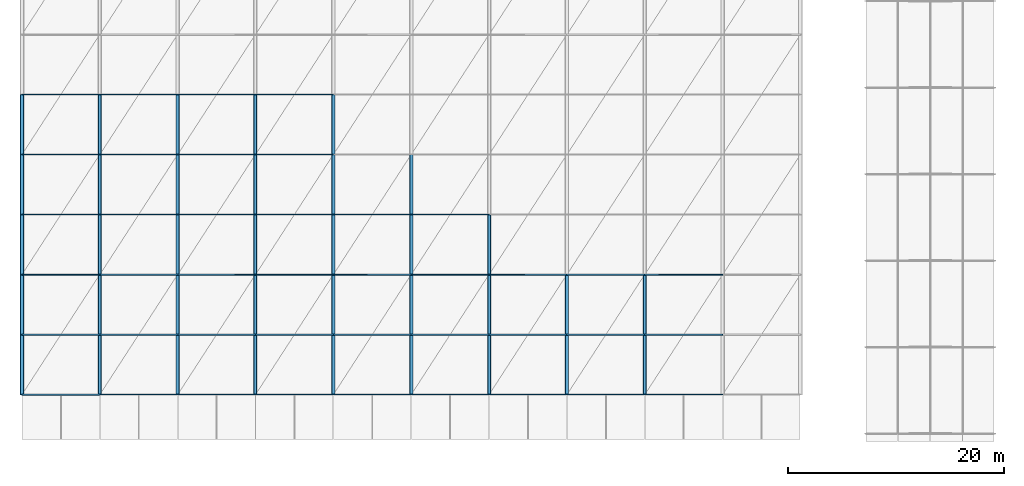
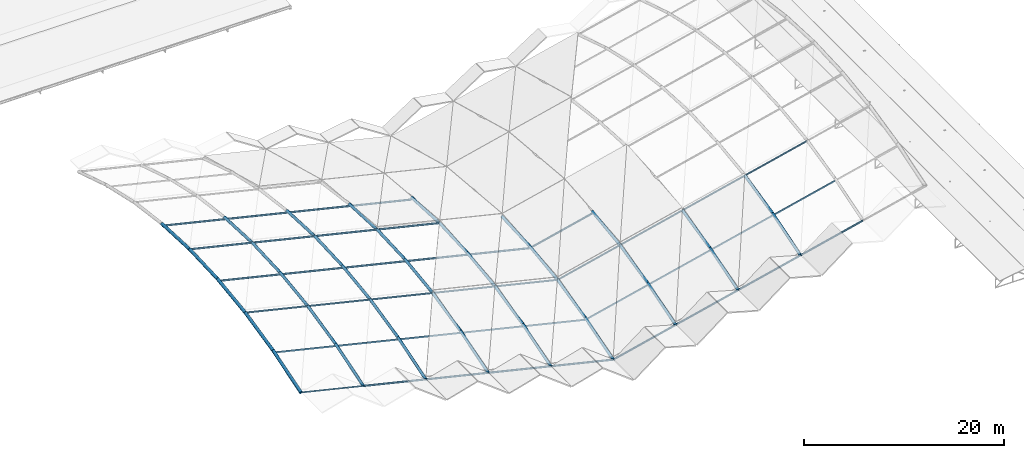
# One storey, part 1 of 54: 77 members.
"""IFC4 building model written with IfcOpenShell, lengths in metres."""

from ifc_helpers import new_model, si_unit, derived_unit, direction, frame, origin, origin_2d, place, context, subcontext, project, spatial, hollow_rectangle, hollow_circle, i_section, extrude, material, material_profile, profile_set, type_object, element, save


model = new_model("IFC4")

# Units and contexts
model_context = context("Model", 3, precision=1e-05, world=origin(), true_north=direction((0.0, 1.0)))
body_context = subcontext(model_context, "Body", "Model", "MODEL_VIEW")
ifc_project = project(units=[si_unit("LENGTHUNIT", "METRE"), si_unit("AREAUNIT", "SQUARE_METRE"), si_unit("VOLUMEUNIT", "CUBIC_METRE"), si_unit("PLANEANGLEUNIT", "RADIAN"), si_unit("MASSUNIT", "GRAM", prefix="KILO"), derived_unit("THERMALTRANSMITTANCEUNIT", [(si_unit("POWERUNIT", "WATT"), 1), (si_unit("LENGTHUNIT", "METRE"), -2), (si_unit("THERMODYNAMICTEMPERATUREUNIT", "KELVIN"), -1)])], contexts=[model_context])

# Site, building, storey
site_placement = place(None, origin())
site = spatial("IfcSite", under=ifc_project, at=site_placement, CompositionType="ELEMENT")
building_placement = place(site_placement, origin())
building = spatial("IfcBuilding", under=site, at=building_placement, Name="Keldorne Ridge Multi-Sports Centre", CompositionType="ELEMENT")
storey_placement = place(building_placement, frame((0.0, 0.0, 22.199951171875)))
storey = spatial("IfcBuildingStorey", under=building, at=storey_placement, Name="ROOF", CompositionType="ELEMENT", Elevation=22.199951171875)

# Members
ifc_material = material(Name="Steel S355", Category="steel")
ifc_material_profile_1 = material_profile(ifc_material, i_section(OverallWidth=0.10009765625, OverallDepth=0.199951171875, WebThickness=0.005615234375, FlangeThickness=0.008544921875, FilletRadius=0.011962890625, at=origin_2d()), Name="IPE 200")
ifc_profile_set_1 = profile_set([ifc_material_profile_1], Name="Steel S355")
member_type_1 = type_object("IfcMemberType", Name="MEM-PR-01", PredefinedType="PURLIN", material=ifc_profile_set_1)
for number, where, z_axis, x_axis, name in (
    (1, (6.0, 26.25, 2.14013671875), (0.972632545932, 0.0, -0.232348726259), (0.0, 1.0, 0.0), "Main Hall roof purlin 1.4"),
    (2, (6.0, 31.800048828125, 2.64013671875), (0.972632545932, 0.0, -0.232348726259), (0.0, 1.0, 0.0), "Main Hall roof purlin 1.5"),
    (3, (6.0, 37.35009765625, 2.14013671875), (0.972632545932, 0.0, -0.232348726259), (0.0, 1.0, 0.0), "Main Hall roof purlin 1.6"),
    (4, (13.199951171875, 9.60009765625, -3.079833984375), (0.972625092192, 0.0, -0.232379926065), (0.0, 1.0, 0.0), "Main Hall roof purlin 2.1"),
    (5, (13.199951171875, 26.25, 0.420166015625), (0.972625092192, 0.0, -0.232379926065), (0.0, 1.0, 0.0), "Main Hall roof purlin 2.4"),
    (6, (13.199951171875, 31.800048828125, 0.920166015625), (0.972625092192, 0.0, -0.232379926065), (0.0, 1.0, 0.0), "Main Hall roof purlin 2.5"),
    (7, (13.199951171875, 37.35009765625, 0.420166015625), (0.972625092192, 0.0, -0.232379926065), (0.0, 1.0, 0.0), "Main Hall roof purlin 2.6"),
):
    element("IfcMember", number, at=place(storey_placement, frame(where, z_axis=z_axis, x_axis=x_axis)), inside=storey, type_object=member_type_1, Name=name, PredefinedType="PURLIN", context=body_context, shape_type="SweptSolid", body=[
        extrude(i_section(OverallWidth=0.10009765625, OverallDepth=0.199951171875, WebThickness=0.005615234375, FlangeThickness=0.008544921875, FilletRadius=0.011962890625, at=origin_2d()), origin(), (0.0, 0.0, 1.0), 7.402587890625),
    ])
for number, where, z_axis, x_axis, name in (
    (8, (20.39990234375, 9.60009765625, -4.800048828125), (0.972634326338, 0.0, -0.232341273194), (0.0, 1.0, 0.0), "Main Hall roof purlin 3.1"),
    (9, (20.39990234375, 26.25, -1.300048828125), (0.972634326338, 0.0, -0.232341273194), (0.0, 1.0, 0.0), "Main Hall roof purlin 3.4"),
    (10, (20.39990234375, 31.800048828125, -0.800048828125), (0.972634326338, 0.0, -0.232341273194), (0.0, 1.0, 0.0), "Main Hall roof purlin 3.5"),
    (11, (20.39990234375, 37.35009765625, -1.300048828125), (0.972634326338, 0.0, -0.232341273194), (0.0, 1.0, 0.0), "Main Hall roof purlin 3.6"),
):
    element("IfcMember", number, at=place(storey_placement, frame(where, z_axis=z_axis, x_axis=x_axis)), inside=storey, type_object=member_type_1, Name=name, PredefinedType="PURLIN", context=body_context, shape_type="SweptSolid", body=[
        extrude(i_section(OverallWidth=0.10009765625, OverallDepth=0.199951171875, WebThickness=0.005615234375, FlangeThickness=0.008544921875, FilletRadius=0.011962890625, at=origin_2d()), origin(), (0.0, 0.0, 1.0), 7.40283203125),
    ])
for number, where, z_axis, x_axis, name in (
    (12, (27.60009765625, 9.60009765625, -6.52001953125), (0.972632545932, 0.0, -0.232348726259), (0.0, 1.0, 0.0), "Main Hall roof purlin 4.1"),
    (13, (27.60009765625, 26.25, -3.02001953125), (0.972632545932, 0.0, -0.232348726259), (0.0, 1.0, 0.0), "Main Hall roof purlin 4.4"),
    (14, (27.60009765625, 31.800048828125, -2.52001953125), (0.972632545932, 0.0, -0.232348726259), (0.0, 1.0, 0.0), "Main Hall roof purlin 4.5"),
    (15, (27.60009765625, 37.35009765625, -3.02001953125), (0.972632545932, 0.0, -0.232348726259), (0.0, 1.0, 0.0), "Main Hall roof purlin 4.6"),
    (16, (34.800048828125, 9.60009765625, -8.239990234375), (0.972632545932, 0.0, -0.232348726259), (0.0, 1.0, 0.0), "Main Hall roof purlin 5.1"),
    (17, (34.800048828125, 26.25, -4.739990234375), (0.972632545932, 0.0, -0.232348726259), (0.0, 1.0, 0.0), "Main Hall roof purlin 5.4"),
    (18, (42.0, 9.60009765625, -9.9599609375), (0.972632545932, 0.0, 0.232348726259), (0.0, 1.0, 0.0), "Main Hall roof purlin 6.1"),
    (19, (42.0, 26.25, -6.4599609375), (0.972632545932, 0.0, 0.232348726259), (0.0, 1.0, 0.0), "Main Hall roof purlin 6.4"),
    (20, (49.199951171875, 9.60009765625, -8.239990234375), (0.972632545932, 0.0, 0.232348726259), (0.0, 1.0, 0.0), "Main Hall roof purlin 7.1"),
):
    element("IfcMember", number, at=place(storey_placement, frame(where, z_axis=z_axis, x_axis=x_axis)), inside=storey, type_object=member_type_1, Name=name, PredefinedType="PURLIN", context=body_context, shape_type="SweptSolid", body=[
        extrude(i_section(OverallWidth=0.10009765625, OverallDepth=0.199951171875, WebThickness=0.005615234375, FlangeThickness=0.008544921875, FilletRadius=0.011962890625, at=origin_2d()), origin(), (0.0, 0.0, 1.0), 7.402587890625),
    ])
member_1_placement = place(storey_placement, frame((56.39990234375, 9.60009765625, -6.52001953125), z_axis=(0.972634326338, 0.0, 0.232341273194), x_axis=(0.0, 1.0, 0.0)))
element("IfcMember", 21, at=member_1_placement, inside=storey, type_object=member_type_1, Name="Main Hall roof purlin 8.1", PredefinedType="PURLIN", context=body_context, shape_type="SweptSolid", body=[
    extrude(i_section(OverallWidth=0.10009765625, OverallDepth=0.199951171875, WebThickness=0.005615234375, FlangeThickness=0.008544921875, FilletRadius=0.011962890625, at=origin_2d()), origin(), (0.0, 0.0, 1.0), 7.40283203125),
])
member_2_placement = place(storey_placement, frame((63.60009765625, 9.60009765625, -4.800048828125), z_axis=(0.972625092192, 0.0, 0.232379926065), x_axis=(0.0, 1.0, 0.0)))
element("IfcMember", 22, at=member_2_placement, inside=storey, type_object=member_type_1, Name="Main Hall roof purlin 9.1", PredefinedType="PURLIN", context=body_context, shape_type="SweptSolid", body=[
    extrude(i_section(OverallWidth=0.10009765625, OverallDepth=0.199951171875, WebThickness=0.005615234375, FlangeThickness=0.008544921875, FilletRadius=0.011962890625, at=origin_2d()), origin(), (0.0, 0.0, 1.0), 7.402587890625),
])
ifc_material_profile_2 = material_profile(ifc_material, i_section(OverallWidth=0.091064453125, OverallDepth=0.179931640625, WebThickness=0.00537109375, FlangeThickness=0.008056640625, FilletRadius=0.009033203125, at=origin_2d()), Name="IPE 180")
ifc_profile_set_2 = profile_set([ifc_material_profile_2], Name="Steel S355")
member_type_2 = type_object("IfcMemberType", Name="MEM-PR-02", PredefinedType="PURLIN", material=ifc_profile_set_2)
for number, where, z_axis, x_axis, name in (
    (23, (6.0, 20.699951171875, 1.64013671875), (0.972632545932, 0.0, -0.232348726259), (0.0, 1.0, 0.0), "Main Hall roof purlin 1.3"),
    (24, (13.199951171875, 20.699951171875, -0.079833984375), (0.972625092192, 0.0, -0.232379926065), (0.0, 1.0, 0.0), "Main Hall roof purlin 2.3"),
):
    element("IfcMember", number, at=place(storey_placement, frame(where, z_axis=z_axis, x_axis=x_axis)), inside=storey, type_object=member_type_2, Name=name, PredefinedType="PURLIN", context=body_context, shape_type="SweptSolid", body=[
        extrude(i_section(OverallWidth=0.091064453125, OverallDepth=0.179931640625, WebThickness=0.00537109375, FlangeThickness=0.008056640625, FilletRadius=0.009033203125, at=origin_2d()), origin(), (0.0, 0.0, 1.0), 7.402587890625),
    ])
member_3_placement = place(storey_placement, frame((20.39990234375, 20.699951171875, -1.800048828125), z_axis=(0.972634326338, 0.0, -0.232341273194), x_axis=(0.0, 1.0, 0.0)))
element("IfcMember", 25, at=member_3_placement, inside=storey, type_object=member_type_2, Name="Main Hall roof purlin 3.3", PredefinedType="PURLIN", context=body_context, shape_type="SweptSolid", body=[
    extrude(i_section(OverallWidth=0.091064453125, OverallDepth=0.179931640625, WebThickness=0.00537109375, FlangeThickness=0.008056640625, FilletRadius=0.009033203125, at=origin_2d()), origin(), (0.0, 0.0, 1.0), 7.40283203125),
])
for number, where, z_axis, x_axis, name in (
    (26, (27.60009765625, 20.699951171875, -3.52001953125), (0.972632545932, 0.0, -0.232348726259), (0.0, 1.0, 0.0), "Main Hall roof purlin 4.3"),
    (27, (34.800048828125, 20.699951171875, -5.239990234375), (0.972632545932, 0.0, -0.232348726259), (0.0, 1.0, 0.0), "Main Hall roof purlin 5.3"),
    (28, (42.0, 20.699951171875, -6.9599609375), (0.972632545932, 0.0, 0.232348726259), (0.0, 1.0, 0.0), "Main Hall roof purlin 6.3"),
    (29, (49.199951171875, 20.699951171875, -5.239990234375), (0.972632545932, 0.0, 0.232348726259), (0.0, 1.0, 0.0), "Main Hall roof purlin 7.3"),
):
    element("IfcMember", number, at=place(storey_placement, frame(where, z_axis=z_axis, x_axis=x_axis)), inside=storey, type_object=member_type_2, Name=name, PredefinedType="PURLIN", context=body_context, shape_type="SweptSolid", body=[
        extrude(i_section(OverallWidth=0.091064453125, OverallDepth=0.179931640625, WebThickness=0.00537109375, FlangeThickness=0.008056640625, FilletRadius=0.009033203125, at=origin_2d()), origin(), (0.0, 0.0, 1.0), 7.402587890625),
    ])
member_4_placement = place(storey_placement, frame((56.39990234375, 20.699951171875, -3.52001953125), z_axis=(0.972634326338, 0.0, 0.232341273194), x_axis=(0.0, 1.0, 0.0)))
element("IfcMember", 30, at=member_4_placement, inside=storey, type_object=member_type_2, Name="Main Hall roof purlin 8.3", PredefinedType="PURLIN", context=body_context, shape_type="SweptSolid", body=[
    extrude(i_section(OverallWidth=0.091064453125, OverallDepth=0.179931640625, WebThickness=0.00537109375, FlangeThickness=0.008056640625, FilletRadius=0.009033203125, at=origin_2d()), origin(), (0.0, 0.0, 1.0), 7.40283203125),
])
member_5_placement = place(storey_placement, frame((63.60009765625, 20.699951171875, -1.800048828125), z_axis=(0.972625092192, 0.0, 0.232379926065), x_axis=(0.0, 1.0, 0.0)))
element("IfcMember", 31, at=member_5_placement, inside=storey, type_object=member_type_2, Name="Main Hall roof purlin 9.3", PredefinedType="PURLIN", context=body_context, shape_type="SweptSolid", body=[
    extrude(i_section(OverallWidth=0.091064453125, OverallDepth=0.179931640625, WebThickness=0.00537109375, FlangeThickness=0.008056640625, FilletRadius=0.009033203125, at=origin_2d()), origin(), (0.0, 0.0, 1.0), 7.402587890625),
])
ifc_material_profile_3 = material_profile(ifc_material, hollow_rectangle(XDim=0.10009765625, YDim=0.14990234375, WallThickness=0.008056640625, InnerFilletRadius=0.008056640625, OuterFilletRadius=0.01611328125, at=origin_2d()), Name="RHS 150x100x8")
ifc_profile_set_3 = profile_set([ifc_material_profile_3], Name="Steel S355")
member_type_3 = type_object("IfcMemberType", Name="MEM-PR-03", PredefinedType="PURLIN", material=ifc_profile_set_3)
member_6_placement = place(storey_placement, frame((6.0, 9.60009765625, -1.35986328125), z_axis=(0.972632545932, 0.0, -0.232348726259), x_axis=(0.0, 1.0, 0.0)))
element("IfcMember", 32, at=member_6_placement, inside=storey, type_object=member_type_3, Name="Main Hall roof purlin 1.1", PredefinedType="PURLIN", context=body_context, shape_type="SweptSolid", body=[
    extrude(hollow_rectangle(XDim=0.10009765625, YDim=0.14990234375, WallThickness=0.008056640625, InnerFilletRadius=0.008056640625, OuterFilletRadius=0.01611328125, at=origin_2d()), origin(), (0.0, 0.0, 1.0), 7.402587890625),
])
ifc_material_profile_4 = material_profile(ifc_material, hollow_rectangle(XDim=0.10009765625, YDim=0.179931640625, WallThickness=0.008056640625, InnerFilletRadius=0.008056640625, OuterFilletRadius=0.01611328125, at=origin_2d()), Name="RHS 180x100x8")
ifc_profile_set_4 = profile_set([ifc_material_profile_4], Name="Steel S355")
member_type_4 = type_object("IfcMemberType", Name="MEM-PR-04", PredefinedType="PURLIN", material=ifc_profile_set_4)
for number, where, z_axis, x_axis, name in (
    (33, (6.0, 15.14990234375, 0.14013671875), (0.972632545932, 0.0, -0.232348726259), (0.0, 1.0, 0.0), "Main Hall roof purlin 1.2"),
    (34, (13.199951171875, 15.14990234375, -1.579833984375), (0.972625092192, 0.0, -0.232379926065), (0.0, 1.0, 0.0), "Main Hall roof purlin 2.2"),
):
    element("IfcMember", number, at=place(storey_placement, frame(where, z_axis=z_axis, x_axis=x_axis)), inside=storey, type_object=member_type_4, Name=name, PredefinedType="PURLIN", context=body_context, shape_type="SweptSolid", body=[
        extrude(hollow_rectangle(XDim=0.10009765625, YDim=0.179931640625, WallThickness=0.008056640625, InnerFilletRadius=0.008056640625, OuterFilletRadius=0.01611328125, at=origin_2d()), origin(), (0.0, 0.0, 1.0), 7.402587890625),
    ])
member_7_placement = place(storey_placement, frame((20.39990234375, 15.14990234375, -3.300048828125), z_axis=(0.972634326338, 0.0, -0.232341273194), x_axis=(0.0, 1.0, 0.0)))
element("IfcMember", 35, at=member_7_placement, inside=storey, type_object=member_type_4, Name="Main Hall roof purlin 3.2", PredefinedType="PURLIN", context=body_context, shape_type="SweptSolid", body=[
    extrude(hollow_rectangle(XDim=0.10009765625, YDim=0.179931640625, WallThickness=0.008056640625, InnerFilletRadius=0.008056640625, OuterFilletRadius=0.01611328125, at=origin_2d()), origin(), (0.0, 0.0, 1.0), 7.40283203125),
])
for number, where, z_axis, x_axis, name in (
    (36, (27.60009765625, 15.14990234375, -5.02001953125), (0.972632545932, 0.0, -0.232348726259), (0.0, 1.0, 0.0), "Main Hall roof purlin 4.2"),
    (37, (34.800048828125, 15.14990234375, -6.739990234375), (0.972632545932, 0.0, -0.232348726259), (0.0, 1.0, 0.0), "Main Hall roof purlin 5.2"),
    (38, (42.0, 15.14990234375, -8.4599609375), (0.972632545932, 0.0, 0.232348726259), (0.0, 1.0, 0.0), "Main Hall roof purlin 6.2"),
    (39, (49.199951171875, 15.14990234375, -6.739990234375), (0.972632545932, 0.0, 0.232348726259), (0.0, 1.0, 0.0), "Main Hall roof purlin 7.2"),
):
    element("IfcMember", number, at=place(storey_placement, frame(where, z_axis=z_axis, x_axis=x_axis)), inside=storey, type_object=member_type_4, Name=name, PredefinedType="PURLIN", context=body_context, shape_type="SweptSolid", body=[
        extrude(hollow_rectangle(XDim=0.10009765625, YDim=0.179931640625, WallThickness=0.008056640625, InnerFilletRadius=0.008056640625, OuterFilletRadius=0.01611328125, at=origin_2d()), origin(), (0.0, 0.0, 1.0), 7.402587890625),
    ])
member_8_placement = place(storey_placement, frame((56.39990234375, 15.14990234375, -5.02001953125), z_axis=(0.972634326338, 0.0, 0.232341273194), x_axis=(0.0, 1.0, 0.0)))
element("IfcMember", 40, at=member_8_placement, inside=storey, type_object=member_type_4, Name="Main Hall roof purlin 8.2", PredefinedType="PURLIN", context=body_context, shape_type="SweptSolid", body=[
    extrude(hollow_rectangle(XDim=0.10009765625, YDim=0.179931640625, WallThickness=0.008056640625, InnerFilletRadius=0.008056640625, OuterFilletRadius=0.01611328125, at=origin_2d()), origin(), (0.0, 0.0, 1.0), 7.40283203125),
])
member_9_placement = place(storey_placement, frame((63.60009765625, 15.14990234375, -3.300048828125), z_axis=(0.972625092192, 0.0, 0.232379926065), x_axis=(0.0, 1.0, 0.0)))
element("IfcMember", 41, at=member_9_placement, inside=storey, type_object=member_type_4, Name="Main Hall roof purlin 9.2", PredefinedType="PURLIN", context=body_context, shape_type="SweptSolid", body=[
    extrude(hollow_rectangle(XDim=0.10009765625, YDim=0.179931640625, WallThickness=0.008056640625, InnerFilletRadius=0.008056640625, OuterFilletRadius=0.01611328125, at=origin_2d()), origin(), (0.0, 0.0, 1.0), 7.402587890625),
])
ifc_material_profile_5 = material_profile(ifc_material, hollow_circle(Radius=0.177734375, WallThickness=0.01611328125, at=origin_2d()), Name="CHS 355.6x16")
ifc_profile_set_5 = profile_set([ifc_material_profile_5], Name="Steel S355")
member_type_5 = type_object("IfcMemberType", Name="MEM-TC-01", PredefinedType="CHORD", material=ifc_profile_set_5)
member_10_placement = place(storey_placement, frame((6.0, 9.60009765625, -1.3798828125), z_axis=(0.0, 0.953709395146, 0.300729761763), x_axis=(-1.0, 0.0, 0.0)))
element("IfcMember", 42, at=member_10_placement, inside=storey, type_object=member_type_5, Name="Main Hall ROOF TRUSS AT-01 top chord 1", PredefinedType="CHORD", context=body_context, shape_type="SweptSolid", body=[
    extrude(hollow_circle(Radius=0.177734375, WallThickness=0.01611328125, at=origin_2d()), origin(), (0.0, 0.0, 1.0), 5.819091796875),
])
member_11_placement = place(storey_placement, frame((6.0, 15.14990234375, 0.3701171875), z_axis=(0.0, 0.975563092904, 0.219719484259), x_axis=(-1.0, 0.0, 0.0)))
element("IfcMember", 43, at=member_11_placement, inside=storey, type_object=member_type_5, Name="Main Hall ROOF TRUSS AT-01 top chord 2", PredefinedType="CHORD", context=body_context, shape_type="SweptSolid", body=[
    extrude(hollow_circle(Radius=0.177734375, WallThickness=0.01611328125, at=origin_2d()), origin(), (0.0, 0.0, 1.0), 5.68896484375),
])
member_12_placement = place(storey_placement, frame((6.0, 20.699951171875, 1.6201171875), z_axis=(0.0, 0.990992586768, 0.13391673895), x_axis=(-1.0, 0.0, 0.0)))
element("IfcMember", 44, at=member_12_placement, inside=storey, type_object=member_type_5, Name="Main Hall ROOF TRUSS AT-01 top chord 3", PredefinedType="CHORD", context=body_context, shape_type="SweptSolid", body=[
    extrude(hollow_circle(Radius=0.177734375, WallThickness=0.01611328125, at=origin_2d()), origin(), (0.0, 0.0, 1.0), 5.6005859375),
])
for number, where, z_axis, x_axis, name in (
    (45, (6.0, 26.25, 2.3701171875), (0.0, 0.99898703105, 0.044999019918), (-1.0, 0.0, 0.0), "Main Hall ROOF TRUSS AT-01 top chord 4"),
    (46, (6.0, 31.800048828125, 2.6201171875), (0.0, 0.99898703105, -0.044999019918), (-1.0, 0.0, 0.0), "Main Hall ROOF TRUSS AT-01 top chord 5"),
):
    element("IfcMember", number, at=place(storey_placement, frame(where, z_axis=z_axis, x_axis=x_axis)), inside=storey, type_object=member_type_5, Name=name, PredefinedType="CHORD", context=body_context, shape_type="SweptSolid", body=[
        extrude(hollow_circle(Radius=0.177734375, WallThickness=0.01611328125, at=origin_2d()), origin(), (0.0, 0.0, 1.0), 5.5556640625),
    ])
ifc_material_profile_6 = material_profile(ifc_material, hollow_circle(Radius=0.161865234375, WallThickness=0.01611328125, at=origin_2d()), Name="CHS 323.9x16")
ifc_profile_set_6 = profile_set([ifc_material_profile_6], Name="Steel S355")
member_type_6 = type_object("IfcMemberType", Name="MEM-TC-02", PredefinedType="CHORD", material=ifc_profile_set_6)
member_13_placement = place(storey_placement, frame((13.199951171875, 9.60009765625, -3.099853515625), z_axis=(0.0, 0.953709395146, 0.300729761763), x_axis=(-1.0, 0.0, 0.0)))
element("IfcMember", 47, at=member_13_placement, inside=storey, type_object=member_type_6, Name="Main Hall ROOF TRUSS AT-02 top chord 1", PredefinedType="CHORD", context=body_context, shape_type="SweptSolid", body=[
    extrude(hollow_circle(Radius=0.161865234375, WallThickness=0.01611328125, at=origin_2d()), origin(), (0.0, 0.0, 1.0), 5.819091796875),
])
member_14_placement = place(storey_placement, frame((13.199951171875, 15.14990234375, -1.349853515625), z_axis=(0.0, 0.975563092904, 0.219719484259), x_axis=(-1.0, 0.0, 0.0)))
element("IfcMember", 48, at=member_14_placement, inside=storey, type_object=member_type_6, Name="Main Hall ROOF TRUSS AT-02 top chord 2", PredefinedType="CHORD", context=body_context, shape_type="SweptSolid", body=[
    extrude(hollow_circle(Radius=0.161865234375, WallThickness=0.01611328125, at=origin_2d()), origin(), (0.0, 0.0, 1.0), 5.68896484375),
])
member_15_placement = place(storey_placement, frame((13.199951171875, 20.699951171875, -0.099853515625), z_axis=(0.0, 0.990992586768, 0.13391673895), x_axis=(-1.0, 0.0, 0.0)))
element("IfcMember", 49, at=member_15_placement, inside=storey, type_object=member_type_6, Name="Main Hall ROOF TRUSS AT-02 top chord 3", PredefinedType="CHORD", context=body_context, shape_type="SweptSolid", body=[
    extrude(hollow_circle(Radius=0.161865234375, WallThickness=0.01611328125, at=origin_2d()), origin(), (0.0, 0.0, 1.0), 5.6005859375),
])
for number, where, z_axis, x_axis, name in (
    (50, (13.199951171875, 26.25, 0.650146484375), (0.0, 0.99898703105, 0.044999019918), (-1.0, 0.0, 0.0), "Main Hall ROOF TRUSS AT-02 top chord 4"),
    (51, (13.199951171875, 31.800048828125, 0.900146484375), (0.0, 0.99898703105, -0.044999019918), (-1.0, 0.0, 0.0), "Main Hall ROOF TRUSS AT-02 top chord 5"),
):
    element("IfcMember", number, at=place(storey_placement, frame(where, z_axis=z_axis, x_axis=x_axis)), inside=storey, type_object=member_type_6, Name=name, PredefinedType="CHORD", context=body_context, shape_type="SweptSolid", body=[
        extrude(hollow_circle(Radius=0.161865234375, WallThickness=0.01611328125, at=origin_2d()), origin(), (0.0, 0.0, 1.0), 5.5556640625),
    ])
member_16_placement = place(storey_placement, frame((20.39990234375, 9.60009765625, -4.820068359375), z_axis=(0.0, 0.953709395146, 0.300729761763), x_axis=(-1.0, 0.0, 0.0)))
element("IfcMember", 52, at=member_16_placement, inside=storey, type_object=member_type_6, Name="Main Hall ROOF TRUSS AT-03 top chord 1", PredefinedType="CHORD", context=body_context, shape_type="SweptSolid", body=[
    extrude(hollow_circle(Radius=0.161865234375, WallThickness=0.01611328125, at=origin_2d()), origin(), (0.0, 0.0, 1.0), 5.819091796875),
])
member_17_placement = place(storey_placement, frame((20.39990234375, 15.14990234375, -3.070068359375), z_axis=(0.0, 0.975563092904, 0.219719484259), x_axis=(-1.0, 0.0, 0.0)))
element("IfcMember", 53, at=member_17_placement, inside=storey, type_object=member_type_6, Name="Main Hall ROOF TRUSS AT-03 top chord 2", PredefinedType="CHORD", context=body_context, shape_type="SweptSolid", body=[
    extrude(hollow_circle(Radius=0.161865234375, WallThickness=0.01611328125, at=origin_2d()), origin(), (0.0, 0.0, 1.0), 5.68896484375),
])
member_18_placement = place(storey_placement, frame((20.39990234375, 20.699951171875, -1.820068359375), z_axis=(0.0, 0.990992586768, 0.13391673895), x_axis=(-1.0, 0.0, 0.0)))
element("IfcMember", 54, at=member_18_placement, inside=storey, type_object=member_type_6, Name="Main Hall ROOF TRUSS AT-03 top chord 3", PredefinedType="CHORD", context=body_context, shape_type="SweptSolid", body=[
    extrude(hollow_circle(Radius=0.161865234375, WallThickness=0.01611328125, at=origin_2d()), origin(), (0.0, 0.0, 1.0), 5.6005859375),
])
for number, where, z_axis, x_axis, name in (
    (55, (20.39990234375, 26.25, -1.070068359375), (0.0, 0.99898703105, 0.044999019918), (-1.0, 0.0, 0.0), "Main Hall ROOF TRUSS AT-03 top chord 4"),
    (56, (20.39990234375, 31.800048828125, -0.820068359375), (0.0, 0.99898703105, -0.044999019918), (-1.0, 0.0, 0.0), "Main Hall ROOF TRUSS AT-03 top chord 5"),
):
    element("IfcMember", number, at=place(storey_placement, frame(where, z_axis=z_axis, x_axis=x_axis)), inside=storey, type_object=member_type_6, Name=name, PredefinedType="CHORD", context=body_context, shape_type="SweptSolid", body=[
        extrude(hollow_circle(Radius=0.161865234375, WallThickness=0.01611328125, at=origin_2d()), origin(), (0.0, 0.0, 1.0), 5.5556640625),
    ])
member_19_placement = place(storey_placement, frame((27.60009765625, 9.60009765625, -6.5400390625), z_axis=(0.0, 0.953709395146, 0.300729761763), x_axis=(-1.0, 0.0, 0.0)))
element("IfcMember", 57, at=member_19_placement, inside=storey, type_object=member_type_6, Name="Main Hall ROOF TRUSS AT-04 top chord 1", PredefinedType="CHORD", context=body_context, shape_type="SweptSolid", body=[
    extrude(hollow_circle(Radius=0.161865234375, WallThickness=0.01611328125, at=origin_2d()), origin(), (0.0, 0.0, 1.0), 5.819091796875),
])
member_20_placement = place(storey_placement, frame((27.60009765625, 15.14990234375, -4.7900390625), z_axis=(0.0, 0.975563092904, 0.219719484259), x_axis=(-1.0, 0.0, 0.0)))
element("IfcMember", 58, at=member_20_placement, inside=storey, type_object=member_type_6, Name="Main Hall ROOF TRUSS AT-04 top chord 2", PredefinedType="CHORD", context=body_context, shape_type="SweptSolid", body=[
    extrude(hollow_circle(Radius=0.161865234375, WallThickness=0.01611328125, at=origin_2d()), origin(), (0.0, 0.0, 1.0), 5.68896484375),
])
member_21_placement = place(storey_placement, frame((27.60009765625, 20.699951171875, -3.5400390625), z_axis=(0.0, 0.990992586768, 0.13391673895), x_axis=(-1.0, 0.0, 0.0)))
element("IfcMember", 59, at=member_21_placement, inside=storey, type_object=member_type_6, Name="Main Hall ROOF TRUSS AT-04 top chord 3", PredefinedType="CHORD", context=body_context, shape_type="SweptSolid", body=[
    extrude(hollow_circle(Radius=0.161865234375, WallThickness=0.01611328125, at=origin_2d()), origin(), (0.0, 0.0, 1.0), 5.6005859375),
])
for number, where, z_axis, x_axis, name in (
    (60, (27.60009765625, 26.25, -2.7900390625), (0.0, 0.99898703105, 0.044999019918), (-1.0, 0.0, 0.0), "Main Hall ROOF TRUSS AT-04 top chord 4"),
    (61, (27.60009765625, 31.800048828125, -2.5400390625), (0.0, 0.99898703105, -0.044999019918), (-1.0, 0.0, 0.0), "Main Hall ROOF TRUSS AT-04 top chord 5"),
):
    element("IfcMember", number, at=place(storey_placement, frame(where, z_axis=z_axis, x_axis=x_axis)), inside=storey, type_object=member_type_6, Name=name, PredefinedType="CHORD", context=body_context, shape_type="SweptSolid", body=[
        extrude(hollow_circle(Radius=0.161865234375, WallThickness=0.01611328125, at=origin_2d()), origin(), (0.0, 0.0, 1.0), 5.5556640625),
    ])
member_22_placement = place(storey_placement, frame((34.800048828125, 9.60009765625, -8.260009765625), z_axis=(0.0, 0.953709395146, 0.300729761763), x_axis=(-1.0, 0.0, 0.0)))
element("IfcMember", 62, at=member_22_placement, inside=storey, type_object=member_type_6, Name="Main Hall ROOF TRUSS AT-05 top chord 1", PredefinedType="CHORD", context=body_context, shape_type="SweptSolid", body=[
    extrude(hollow_circle(Radius=0.161865234375, WallThickness=0.01611328125, at=origin_2d()), origin(), (0.0, 0.0, 1.0), 5.819091796875),
])
member_23_placement = place(storey_placement, frame((34.800048828125, 15.14990234375, -6.510009765625), z_axis=(0.0, 0.975563092904, 0.219719484259), x_axis=(-1.0, 0.0, 0.0)))
element("IfcMember", 63, at=member_23_placement, inside=storey, type_object=member_type_6, Name="Main Hall ROOF TRUSS AT-05 top chord 2", PredefinedType="CHORD", context=body_context, shape_type="SweptSolid", body=[
    extrude(hollow_circle(Radius=0.161865234375, WallThickness=0.01611328125, at=origin_2d()), origin(), (0.0, 0.0, 1.0), 5.68896484375),
])
member_24_placement = place(storey_placement, frame((34.800048828125, 20.699951171875, -5.260009765625), z_axis=(0.0, 0.990992586768, 0.13391673895), x_axis=(-1.0, 0.0, 0.0)))
element("IfcMember", 64, at=member_24_placement, inside=storey, type_object=member_type_6, Name="Main Hall ROOF TRUSS AT-05 top chord 3", PredefinedType="CHORD", context=body_context, shape_type="SweptSolid", body=[
    extrude(hollow_circle(Radius=0.161865234375, WallThickness=0.01611328125, at=origin_2d()), origin(), (0.0, 0.0, 1.0), 5.6005859375),
])
for number, where, z_axis, x_axis, name in (
    (65, (34.800048828125, 26.25, -4.510009765625), (0.0, 0.99898703105, 0.044999019918), (-1.0, 0.0, 0.0), "Main Hall ROOF TRUSS AT-05 top chord 4"),
    (66, (34.800048828125, 31.800048828125, -4.260009765625), (0.0, 0.99898703105, -0.044999019918), (-1.0, 0.0, 0.0), "Main Hall ROOF TRUSS AT-05 top chord 5"),
):
    element("IfcMember", number, at=place(storey_placement, frame(where, z_axis=z_axis, x_axis=x_axis)), inside=storey, type_object=member_type_6, Name=name, PredefinedType="CHORD", context=body_context, shape_type="SweptSolid", body=[
        extrude(hollow_circle(Radius=0.161865234375, WallThickness=0.01611328125, at=origin_2d()), origin(), (0.0, 0.0, 1.0), 5.5556640625),
    ])
member_25_placement = place(storey_placement, frame((42.0, 9.60009765625, -9.97998046875), z_axis=(0.0, 0.953709395146, 0.300729761763), x_axis=(-1.0, 0.0, 0.0)))
element("IfcMember", 67, at=member_25_placement, inside=storey, type_object=member_type_6, Name="Main Hall ROOF TRUSS AT-06 top chord 1", PredefinedType="CHORD", context=body_context, shape_type="SweptSolid", body=[
    extrude(hollow_circle(Radius=0.161865234375, WallThickness=0.01611328125, at=origin_2d()), origin(), (0.0, 0.0, 1.0), 5.819091796875),
])
member_26_placement = place(storey_placement, frame((42.0, 15.14990234375, -8.22998046875), z_axis=(0.0, 0.975563092904, 0.219719484259), x_axis=(-1.0, 0.0, 0.0)))
element("IfcMember", 68, at=member_26_placement, inside=storey, type_object=member_type_6, Name="Main Hall ROOF TRUSS AT-06 top chord 2", PredefinedType="CHORD", context=body_context, shape_type="SweptSolid", body=[
    extrude(hollow_circle(Radius=0.161865234375, WallThickness=0.01611328125, at=origin_2d()), origin(), (0.0, 0.0, 1.0), 5.68896484375),
])
member_27_placement = place(storey_placement, frame((42.0, 20.699951171875, -6.97998046875), z_axis=(0.0, 0.990992586768, 0.13391673895), x_axis=(-1.0, 0.0, 0.0)))
element("IfcMember", 69, at=member_27_placement, inside=storey, type_object=member_type_6, Name="Main Hall ROOF TRUSS AT-06 top chord 3", PredefinedType="CHORD", context=body_context, shape_type="SweptSolid", body=[
    extrude(hollow_circle(Radius=0.161865234375, WallThickness=0.01611328125, at=origin_2d()), origin(), (0.0, 0.0, 1.0), 5.6005859375),
])
member_28_placement = place(storey_placement, frame((42.0, 26.25, -6.22998046875), z_axis=(0.0, 0.99898703105, 0.044999019918), x_axis=(-1.0, 0.0, 0.0)))
element("IfcMember", 70, at=member_28_placement, inside=storey, type_object=member_type_6, Name="Main Hall ROOF TRUSS AT-06 top chord 4", PredefinedType="CHORD", context=body_context, shape_type="SweptSolid", body=[
    extrude(hollow_circle(Radius=0.161865234375, WallThickness=0.01611328125, at=origin_2d()), origin(), (0.0, 0.0, 1.0), 5.5556640625),
])
member_29_placement = place(storey_placement, frame((49.199951171875, 9.60009765625, -8.260009765625), z_axis=(0.0, 0.953709395146, 0.300729761763), x_axis=(-1.0, 0.0, 0.0)))
element("IfcMember", 71, at=member_29_placement, inside=storey, type_object=member_type_6, Name="Main Hall ROOF TRUSS AT-07 top chord 1", PredefinedType="CHORD", context=body_context, shape_type="SweptSolid", body=[
    extrude(hollow_circle(Radius=0.161865234375, WallThickness=0.01611328125, at=origin_2d()), origin(), (0.0, 0.0, 1.0), 5.819091796875),
])
member_30_placement = place(storey_placement, frame((49.199951171875, 15.14990234375, -6.510009765625), z_axis=(0.0, 0.975563092904, 0.219719484259), x_axis=(-1.0, 0.0, 0.0)))
element("IfcMember", 72, at=member_30_placement, inside=storey, type_object=member_type_6, Name="Main Hall ROOF TRUSS AT-07 top chord 2", PredefinedType="CHORD", context=body_context, shape_type="SweptSolid", body=[
    extrude(hollow_circle(Radius=0.161865234375, WallThickness=0.01611328125, at=origin_2d()), origin(), (0.0, 0.0, 1.0), 5.68896484375),
])
member_31_placement = place(storey_placement, frame((49.199951171875, 20.699951171875, -5.260009765625), z_axis=(0.0, 0.990992586768, 0.13391673895), x_axis=(-1.0, 0.0, 0.0)))
element("IfcMember", 73, at=member_31_placement, inside=storey, type_object=member_type_6, Name="Main Hall ROOF TRUSS AT-07 top chord 3", PredefinedType="CHORD", context=body_context, shape_type="SweptSolid", body=[
    extrude(hollow_circle(Radius=0.161865234375, WallThickness=0.01611328125, at=origin_2d()), origin(), (0.0, 0.0, 1.0), 5.6005859375),
])
member_32_placement = place(storey_placement, frame((56.39990234375, 9.60009765625, -6.5400390625), z_axis=(0.0, 0.953709395146, 0.300729761763), x_axis=(-1.0, 0.0, 0.0)))
element("IfcMember", 74, at=member_32_placement, inside=storey, type_object=member_type_6, Name="Main Hall ROOF TRUSS AT-08 top chord 1", PredefinedType="CHORD", context=body_context, shape_type="SweptSolid", body=[
    extrude(hollow_circle(Radius=0.161865234375, WallThickness=0.01611328125, at=origin_2d()), origin(), (0.0, 0.0, 1.0), 5.819091796875),
])
member_33_placement = place(storey_placement, frame((56.39990234375, 15.14990234375, -4.7900390625), z_axis=(0.0, 0.975563092904, 0.219719484259), x_axis=(-1.0, 0.0, 0.0)))
element("IfcMember", 75, at=member_33_placement, inside=storey, type_object=member_type_6, Name="Main Hall ROOF TRUSS AT-08 top chord 2", PredefinedType="CHORD", context=body_context, shape_type="SweptSolid", body=[
    extrude(hollow_circle(Radius=0.161865234375, WallThickness=0.01611328125, at=origin_2d()), origin(), (0.0, 0.0, 1.0), 5.68896484375),
])
member_34_placement = place(storey_placement, frame((63.60009765625, 9.60009765625, -4.820068359375), z_axis=(0.0, 0.953709395146, 0.300729761763), x_axis=(-1.0, 0.0, 0.0)))
element("IfcMember", 76, at=member_34_placement, inside=storey, type_object=member_type_6, Name="Main Hall ROOF TRUSS AT-09 top chord 1", PredefinedType="CHORD", context=body_context, shape_type="SweptSolid", body=[
    extrude(hollow_circle(Radius=0.161865234375, WallThickness=0.01611328125, at=origin_2d()), origin(), (0.0, 0.0, 1.0), 5.819091796875),
])
member_35_placement = place(storey_placement, frame((63.60009765625, 15.14990234375, -3.070068359375), z_axis=(0.0, 0.975563092904, 0.219719484259), x_axis=(-1.0, 0.0, 0.0)))
element("IfcMember", 77, at=member_35_placement, inside=storey, type_object=member_type_6, Name="Main Hall ROOF TRUSS AT-09 top chord 2", PredefinedType="CHORD", context=body_context, shape_type="SweptSolid", body=[
    extrude(hollow_circle(Radius=0.161865234375, WallThickness=0.01611328125, at=origin_2d()), origin(), (0.0, 0.0, 1.0), 5.68896484375),
])

save(model, "model.ifc")
